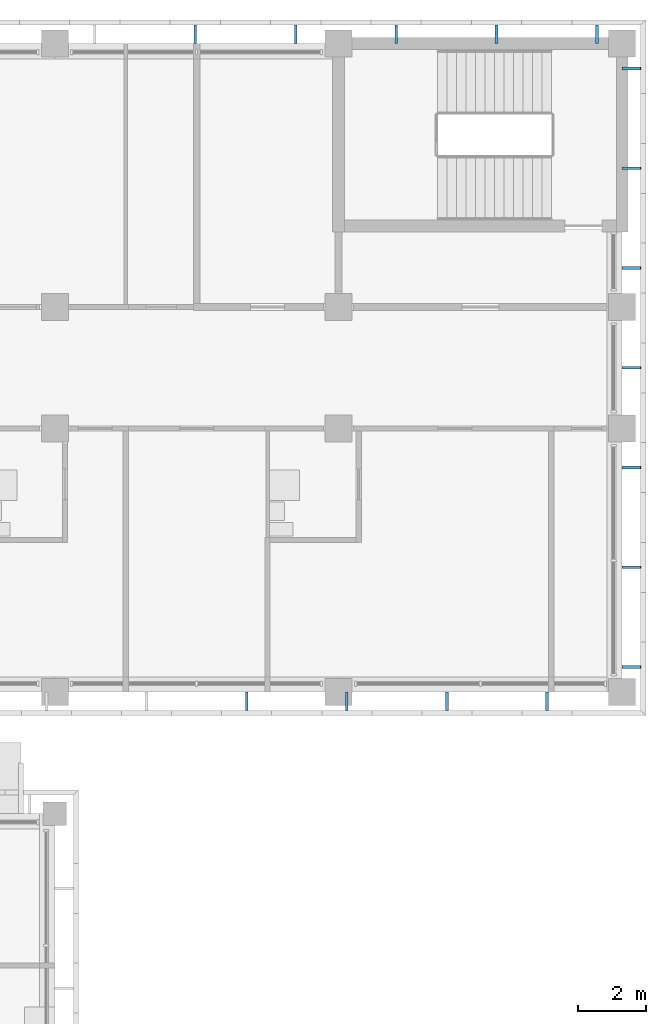
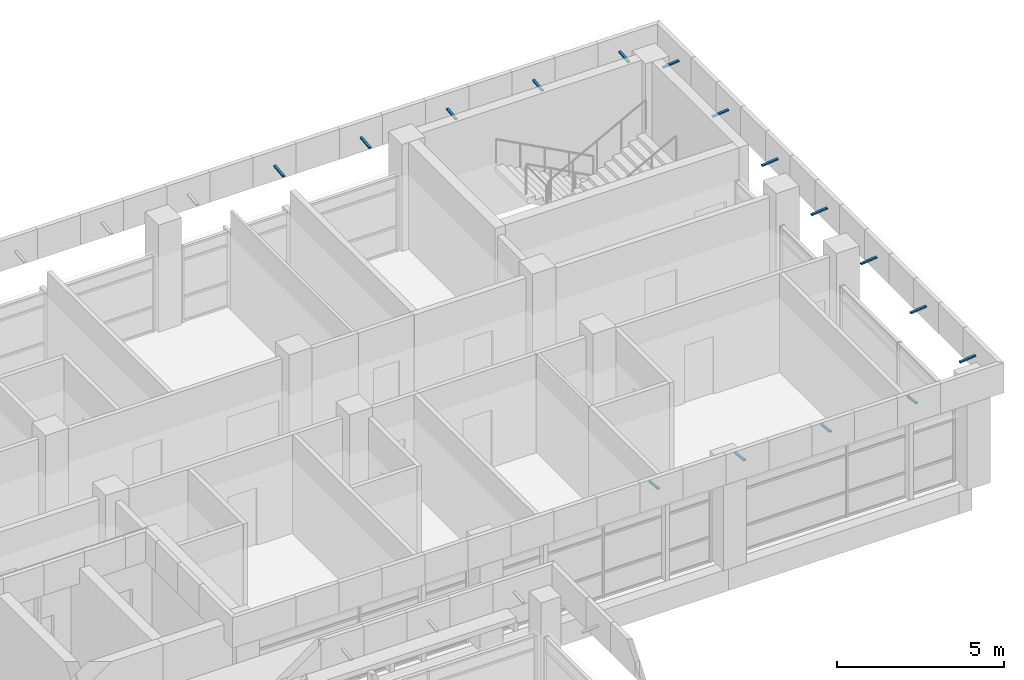
# One storey, part 58 of 71: 16 discrete accessories.
"""IFC4 building model written with IfcOpenShell, lengths in metres."""

from ifc_helpers import new_model, si_unit, direction, frame, origin, origin_2d, place, context, subcontext, project, spatial, rectangle, extrude, material, material_profile, profile_set, type_object, element, save


model = new_model("IFC4")

# Units and contexts
model_context = context("Model", 3, precision=1e-05, world=origin(), true_north=direction((0.0, 1.0)))
body_context = subcontext(model_context, "Body", "Model", "MODEL_VIEW")
ifc_project = project(units=[si_unit("LENGTHUNIT", "METRE"), si_unit("AREAUNIT", "SQUARE_METRE"), si_unit("VOLUMEUNIT", "CUBIC_METRE"), si_unit("PLANEANGLEUNIT", "RADIAN"), si_unit("MASSUNIT", "GRAM", prefix="KILO")], contexts=[model_context])

# Site, building, storey
site_placement = place(None, origin())
site = spatial("IfcSite", under=ifc_project, at=site_placement, CompositionType="ELEMENT")
building_placement = place(site_placement, origin())
building = spatial("IfcBuilding", under=site, at=building_placement, Name="Bougainvillea Quay General Hospital", CompositionType="ELEMENT")
storey_placement = place(building_placement, frame((0.0, 0.0, 24.89990234375)))
storey = spatial("IfcBuildingStorey", under=building, at=storey_placement, Name="L05", CompositionType="ELEMENT", Elevation=24.89990234375)

# Discrete accessories
ifc_material = material(Name="Stainless steel bracket, grade 316", Category="steel")
ifc_material_profile = material_profile(ifc_material, rectangle(XDim=0.080078125, YDim=0.050048828125, at=origin_2d()))
ifc_profile_set = profile_set([ifc_material_profile], Name="Stainless steel bracket, grade 316")
discrete_accessory_type = type_object("IfcDiscreteAccessoryType", Name="Stainless steel stand-off bracket 80x50", PredefinedType="BRACKET", material=ifc_profile_set)
for number, where, z_axis, x_axis, name in (
    (1, (184.05615234375, 159.60009765625, 3.840087890625), (0.0, 0.994086591779, 0.108590276011), (-1.0, 0.0, 0.0), "Fascia bracket e0 1"),
    (2, (181.081298828125, 159.60009765625, 3.840087890625), (0.0, 0.994086591779, 0.108590276011), (-1.0, 0.0, 0.0), "Fascia bracket e0 3"),
    (3, (178.106201171875, 159.60009765625, 3.840087890625), (0.0, 0.994086591779, 0.108590276011), (-1.0, 0.0, 0.0), "Fascia bracket e0 5"),
    (4, (175.13134765625, 159.60009765625, 3.840087890625), (0.0, 0.994086591779, 0.108590276011), (-1.0, 0.0, 0.0), "Fascia bracket e0 7"),
    (5, (172.15625, 159.60009765625, 3.840087890625), (0.0, 0.994086591779, 0.108590276011), (-1.0, 0.0, 0.0), "Fascia bracket e0 9"),
    (6, (173.682373046875, 140.39990234375, 3.840087890625), (0.0, -0.994086591779, 0.108590276011), (1.0, 0.0, 0.0), "Fascia bracket e0 215"),
    (7, (176.64697265625, 140.39990234375, 3.840087890625), (0.0, -0.994086591779, 0.108590276011), (1.0, 0.0, 0.0), "Fascia bracket e0 217"),
    (8, (179.61181640625, 140.39990234375, 3.840087890625), (0.0, -0.994086591779, 0.108590276011), (1.0, 0.0, 0.0), "Fascia bracket e0 219"),
    (9, (182.576416015625, 140.39990234375, 3.840087890625), (0.0, -0.994086591779, 0.108590276011), (1.0, 0.0, 0.0), "Fascia bracket e0 221"),
):
    element("IfcDiscreteAccessory", number, at=place(storey_placement, frame(where, z_axis=z_axis, x_axis=x_axis)), inside=storey, type_object=discrete_accessory_type, Name=name, PredefinedType="BRACKET", context=body_context, shape_type="SweptSolid", body=[
        extrude(rectangle(XDim=0.080078125, YDim=0.050048828125, at=origin_2d()), origin(), (0.0, 0.0, 1.0), 0.552978515625),
    ])
for number, where, z_axis, x_axis, name in (
    (10, (184.800048828125, 141.138427734375, 3.840087890625), (0.994091793559, 0.0, 0.108542645901), (0.0, 1.0, 0.0), "Fascia bracket e0 223"),
    (11, (184.800048828125, 144.09228515625, 3.840087890625), (0.994091793559, 0.0, 0.108542645901), (0.0, 1.0, 0.0), "Fascia bracket e0 225"),
    (12, (184.800048828125, 147.046142578125, 3.840087890625), (0.994091793559, 0.0, 0.108542645901), (0.0, 1.0, 0.0), "Fascia bracket e0 227"),
    (13, (184.800048828125, 150.0, 3.840087890625), (0.994091793559, 0.0, 0.108542645901), (0.0, 1.0, 0.0), "Fascia bracket e0 229"),
    (14, (184.800048828125, 152.953857421875, 3.840087890625), (0.994091793559, 0.0, 0.108542645901), (0.0, 1.0, 0.0), "Fascia bracket e0 231"),
    (15, (184.800048828125, 155.90771484375, 3.840087890625), (0.994091793559, 0.0, 0.108542645901), (0.0, 1.0, 0.0), "Fascia bracket e0 233"),
    (16, (184.800048828125, 158.861572265625, 3.840087890625), (0.994091793559, 0.0, 0.108542645901), (0.0, 1.0, 0.0), "Fascia bracket e0 235"),
):
    element("IfcDiscreteAccessory", number, at=place(storey_placement, frame(where, z_axis=z_axis, x_axis=x_axis)), inside=storey, type_object=discrete_accessory_type, Name=name, PredefinedType="BRACKET", context=body_context, shape_type="SweptSolid", body=[
        extrude(rectangle(XDim=0.080078125, YDim=0.050048828125, at=origin_2d()), origin(), (0.0, 0.0, 1.0), 0.55322265625),
    ])

save(model, "model.ifc")
